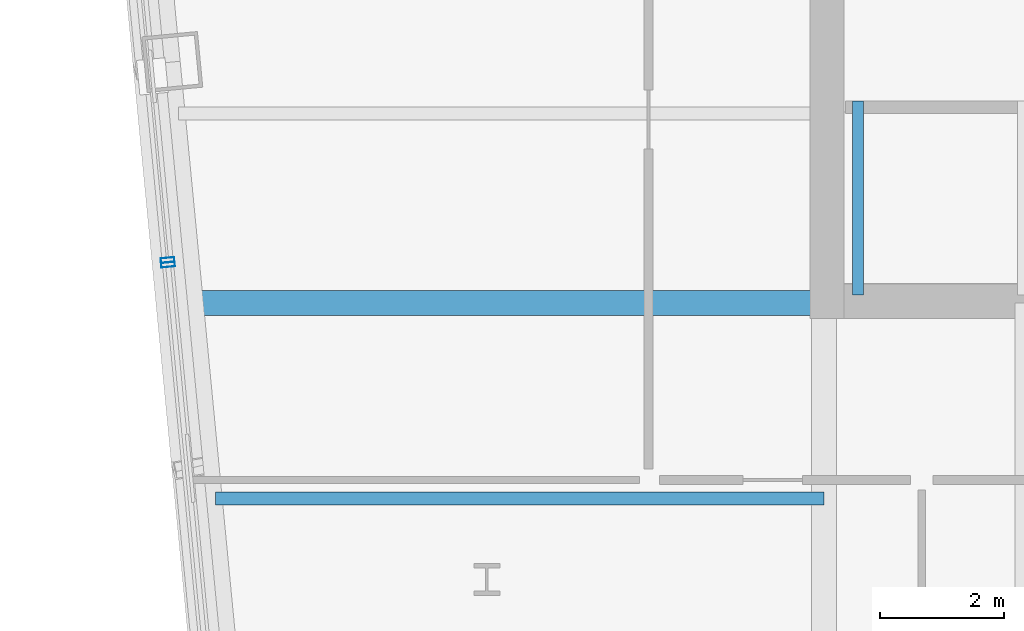
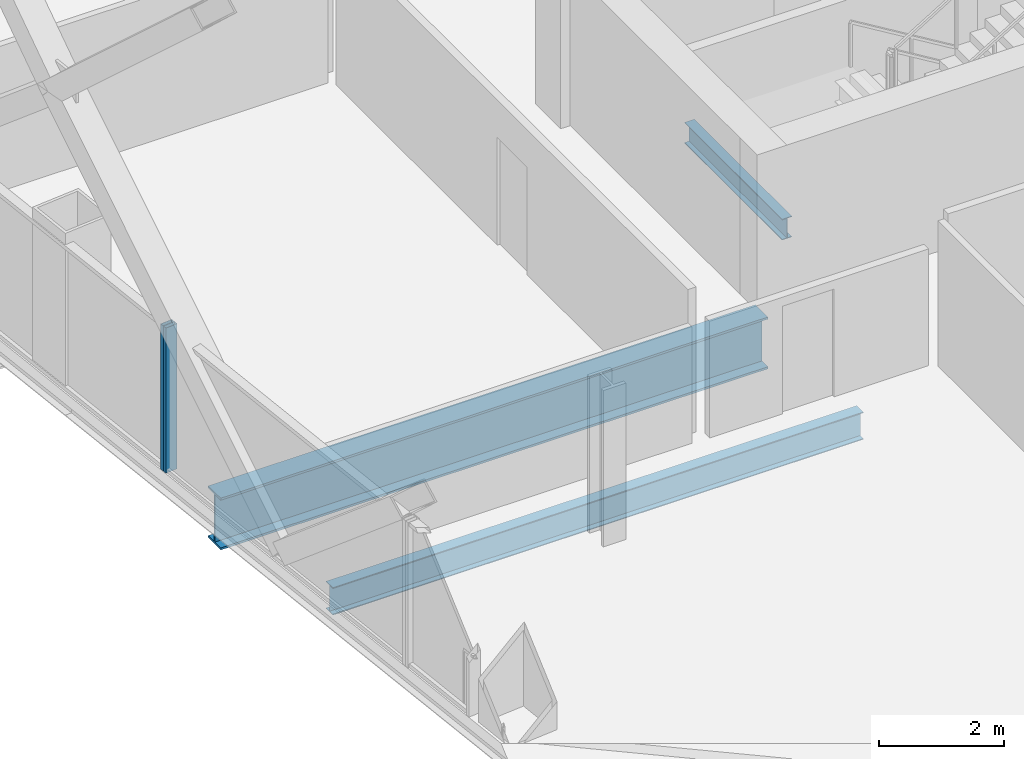
# One storey, part 4 of 32: 3 beams, 2 members, 2 elements without a shape of their own.
"""IFC4 building model written with IfcOpenShell, lengths in metres."""

from ifc_helpers import new_model, si_unit, direction, frame, origin, origin_2d, place, context, subcontext, project, spatial, hollow_rectangle, i_section, extrude, material, layer, layer_set, material_profile, profile_set, type_object, element, aggregate, save


model = new_model("IFC4")

# Units and contexts
model_context = context("Model", 3, precision=1e-05, world=origin(), true_north=direction((0.0, 1.0)))
body_context = subcontext(model_context, "Body", "Model", "MODEL_VIEW")
ifc_project = project(units=[si_unit("LENGTHUNIT", "METRE"), si_unit("AREAUNIT", "SQUARE_METRE"), si_unit("VOLUMEUNIT", "CUBIC_METRE"), si_unit("PLANEANGLEUNIT", "RADIAN"), si_unit("MASSUNIT", "GRAM", prefix="KILO")], contexts=[model_context])

# Site, building, storey
site_placement = place(None, origin())
site = spatial("IfcSite", under=ifc_project, at=site_placement, CompositionType="ELEMENT")
building_placement = place(site_placement, origin())
building = spatial("IfcBuilding", under=site, at=building_placement, Name="Qhalaya Broadcast Tower", CompositionType="ELEMENT")
storey_placement = place(building_placement, frame((0.0, 0.0, 81.64990234375)))
storey = spatial("IfcBuildingStorey", under=building, at=storey_placement, Name="L23", CompositionType="ELEMENT", Elevation=81.64990234375)

# Beams
ifc_material_1 = material(Name="Structural Steel ASTM A992 Grade 50", Category="steel")
ifc_material_profile_1 = material_profile(ifc_material_1, i_section(OverallWidth=0.2099609375, OverallDepth=0.535888671875, WebThickness=0.010986328125, FlangeThickness=0.017333984375, at=origin_2d()), Name="W21X68")
ifc_profile_set_1 = profile_set([ifc_material_profile_1], Name="Structural Steel ASTM A992 Grade 50")
beam_type_1 = type_object("IfcBeamType", Name="Composite Floor Joist J02", PredefinedType="JOIST", material=ifc_profile_set_1)
beam_1_placement = place(storey_placement, frame((-19.164794921875, -11.89990234375, -0.48779296875), z_axis=(1.0, 0.0, 0.0), x_axis=(0.0, 1.0, 0.0)))
element("IfcBeam", 1, at=beam_1_placement, inside=storey, type_object=beam_type_1, Name="L23 J02 L23-JWE2W-1", PredefinedType="JOIST", context=body_context, shape_type="SweptSolid", body=[
    extrude(i_section(OverallWidth=0.2099609375, OverallDepth=0.535888671875, WebThickness=0.010986328125, FlangeThickness=0.017333984375, at=origin_2d()), origin(), (0.0, 0.0, 1.0), 9.789794921875),
])
ifc_material_profile_2 = material_profile(ifc_material_1, i_section(OverallWidth=0.40087890625, OverallDepth=1.010986328125, WebThickness=0.023681640625, FlangeThickness=0.0419921875, at=origin_2d()), Name="W40X297")
ifc_profile_set_2 = profile_set([ifc_material_profile_2], Name="Structural Steel ASTM A992 Grade 50")
beam_type_2 = type_object("IfcBeamType", Name="Lower Block Primary Girder PG2", PredefinedType="USERDEFINED", material=ifc_profile_set_2)
beam_2_placement = place(storey_placement, frame((-19.468017578125, -8.75, -0.725341796875), z_axis=(1.0, 0.0, 0.0), x_axis=(0.0, 1.0, 0.0)))
element("IfcBeam", 2, at=beam_2_placement, inside=storey, type_object=beam_type_2, Name="L23 PG2 L23-PGYW1-1", ObjectType="GIRDER", PredefinedType="USERDEFINED", context=body_context, shape_type="SweptSolid", body=[
    extrude(i_section(OverallWidth=0.40087890625, OverallDepth=1.010986328125, WebThickness=0.023681640625, FlangeThickness=0.0419921875, at=origin_2d()), origin(), (0.0, 0.0, 1.0), 10.093017578125),
])

# Curtain wall, member
ifc_material_2 = material(Name="Solar-Control Low-E Triple Glazing", Category="glass")
ifc_layer_1 = layer(ifc_material_2, 0.219970703125, Name="Solar-Control Low-E Triple Glazing")
ifc_layer_set_1 = layer_set([ifc_layer_1], Name="Solar-Control Low-E Triple Glazing")
curtain_wall_type_1 = type_object("IfcCurtainWallType", Name="Even-Block 4-Storey Double-Module Curtain Wall CW-03", PredefinedType="NOTDEFINED", material=ifc_layer_set_1)
curtain_wall_1_placement = place(storey_placement, origin())
curtain_wall_1 = element("IfcCurtainWall", 3, at=curtain_wall_1_placement, inside=storey, type_object=curtain_wall_type_1, Name="L23 Unitised Curtain Wall L23-CW-W5", PredefinedType="NOTDEFINED")
ifc_material_3 = material(Name="Anodised Aluminium 6063-T6", Category="aluminium")
ifc_material_profile_3 = material_profile(ifc_material_3, hollow_rectangle(XDim=0.074951171875, YDim=0.219970703125, WallThickness=0.00390625, at=origin_2d()), Name="ALU-MUL 75x220x4")
ifc_profile_set_3 = profile_set([ifc_material_profile_3], Name="Anodised Aluminium 6063-T6")
member_type = type_object("IfcMemberType", Name="Unitised Curtain-Wall Mullion M01", PredefinedType="MULLION", material=ifc_profile_set_3)
member_1_placement = place(storey_placement, frame((-19.936279296875, -8.06103515625, 0.0), z_axis=(0.0, 0.0, 1.0), x_axis=(0.095835542837, -0.995397181395, 0.0)))
member_1 = element("IfcMember", 4, at=member_1_placement, type_object=member_type, Name="CW-03 mullion 2", PredefinedType="MULLION", context=body_context, shape_type="SweptSolid", body=[
    extrude(hollow_rectangle(XDim=0.074951171875, YDim=0.219970703125, WallThickness=0.00390625, at=origin_2d()), origin(), (0.0, 0.0, 1.0), 2.830078125),
])
aggregate(curtain_wall_1, [member_1])

ifc_material_4 = material(Name="Fired Architectural Terracotta", Category="masonry")
ifc_layer_2 = layer(ifc_material_4, 0.219970703125, Name="Fired Architectural Terracotta")
ifc_layer_set_2 = layer_set([ifc_layer_2], Name="Fired Architectural Terracotta")
curtain_wall_type_2 = type_object("IfcCurtainWallType", Name="Block-Cap Unitised Terracotta Spandrel Wall CW-07", PredefinedType="NOTDEFINED", material=ifc_layer_set_2)
curtain_wall_2_placement = place(storey_placement, origin())
curtain_wall_2 = element("IfcCurtainWall", 5, at=curtain_wall_2_placement, inside=storey, type_object=curtain_wall_type_2, Name="L23 Unitised Curtain Wall L23-CW-W6", PredefinedType="NOTDEFINED")
member_2_placement = place(storey_placement, frame((-19.928955078125, -8.1357421875, 0.0), z_axis=(0.0, 0.0, 1.0), x_axis=(0.095857967914, -0.995395022083, 0.0)))
member_2 = element("IfcMember", 6, at=member_2_placement, type_object=member_type, Name="CW-07 mullion 1", PredefinedType="MULLION", context=body_context, shape_type="SweptSolid", body=[
    extrude(hollow_rectangle(XDim=0.074951171875, YDim=0.219970703125, WallThickness=0.00390625, at=origin_2d()), origin(), (0.0, 0.0, 1.0), 2.830078125),
])
aggregate(curtain_wall_2, [member_2])

# Beam
ifc_material_profile_4 = material_profile(ifc_material_1, i_section(OverallWidth=0.177978515625, OverallDepth=0.406005859375, WebThickness=0.0078125, FlangeThickness=0.0126953125, at=origin_2d()), Name="W16X40")
ifc_profile_set_4 = profile_set([ifc_material_profile_4], Name="Structural Steel ASTM A992 Grade 50")
beam_type_3 = type_object("IfcBeamType", Name="Upper Perimeter Spandrel Beam SP2", PredefinedType="SPANDREL", material=ifc_profile_set_4)
beam_3_placement = place(storey_placement, frame((-8.830078125, -8.6201171875, 1.1220703125), z_axis=(0.0, 1.0, 0.0), x_axis=(-1.0, 0.0, 0.0)))
element("IfcBeam", 7, at=beam_3_placement, inside=storey, type_object=beam_type_3, Name="L23 ST-2 Half-Landing Bearer Beam 1", PredefinedType="SPANDREL", context=body_context, shape_type="SweptSolid", body=[
    extrude(i_section(OverallWidth=0.177978515625, OverallDepth=0.406005859375, WebThickness=0.0078125, FlangeThickness=0.0126953125, at=origin_2d()), origin(), (0.0, 0.0, 1.0), 3.1201171875),
])

save(model, "model.ifc")
